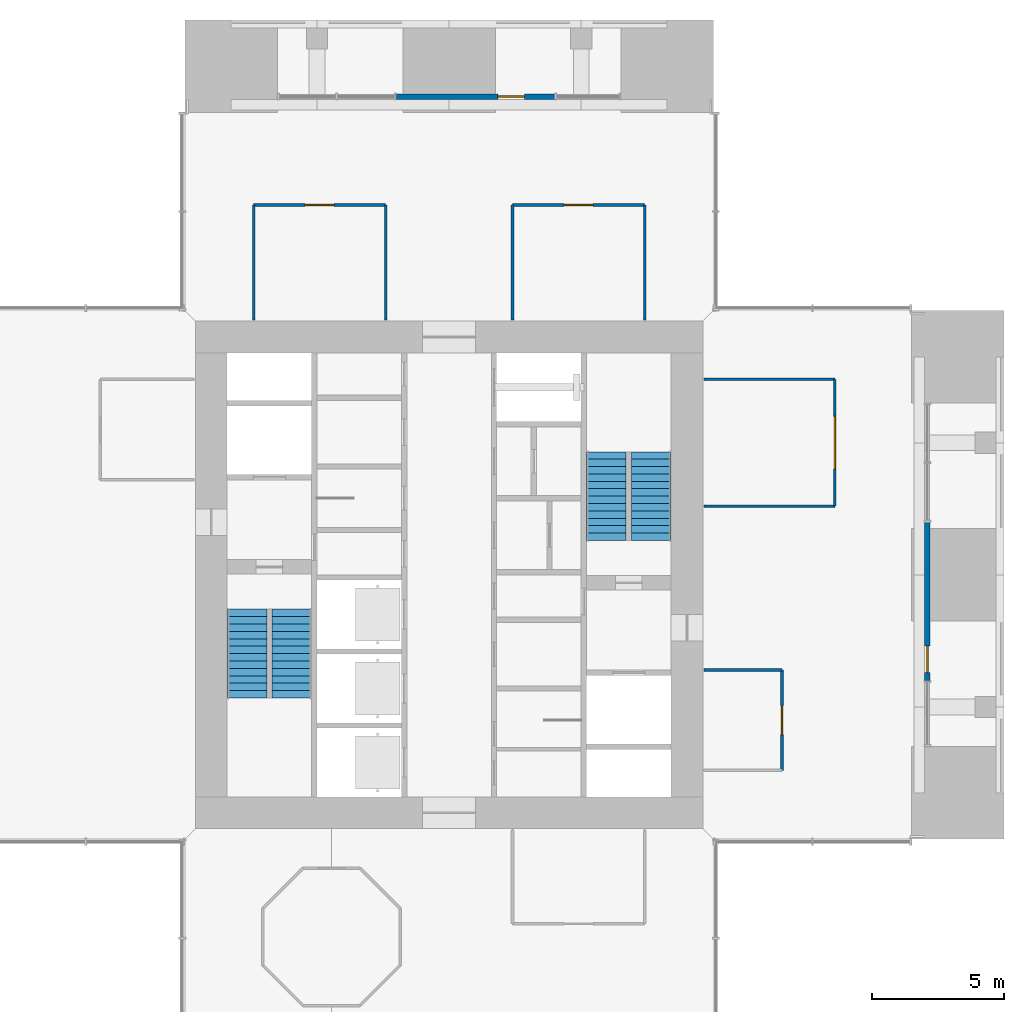
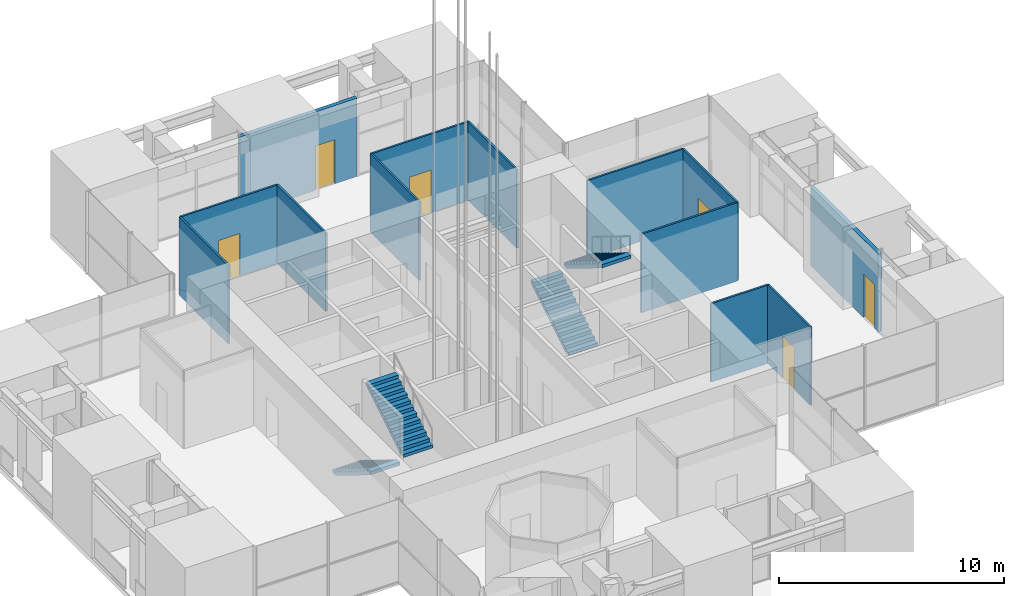
# One storey, part 7 of 17: 13 walls, 6 doors, 4 stair flights, 6 openings, 2 elements without a shape of their own.
"""IFC4 building model written with IfcOpenShell, lengths in metres."""

from ifc_helpers import new_model, si_unit, direction, frame, frame_2d, origin, place, context, subcontext, project, spatial, polyline, rectangle, outline, extrude, material, layer, layer_set, type_object, element, fill, aggregate, save


model = new_model("IFC4")

# Units and contexts
model_context = context("Model", 3, precision=1e-05, world=origin(), true_north=direction((0.0, 1.0)))
body_context = subcontext(model_context, "Body", "Model", "MODEL_VIEW")
ifc_project = project(units=[si_unit("LENGTHUNIT", "METRE"), si_unit("AREAUNIT", "SQUARE_METRE"), si_unit("VOLUMEUNIT", "CUBIC_METRE"), si_unit("PLANEANGLEUNIT", "RADIAN"), si_unit("MASSUNIT", "GRAM", prefix="KILO")], contexts=[model_context])

# Site, building, storey
site_placement = place(None, origin())
site = spatial("IfcSite", under=ifc_project, at=site_placement, CompositionType="ELEMENT")
building_placement = place(site_placement, origin())
building = spatial("IfcBuilding", under=site, at=building_placement, Name="Svetlomir Tower", CompositionType="ELEMENT")
storey_placement = place(building_placement, frame((0.0, 0.0, 239.5)))
storey = spatial("IfcBuildingStorey", under=building, at=storey_placement, Name="L57", CompositionType="ELEMENT", Elevation=239.5)

# Wall, opening, door
ifc_material_1 = material(Name="Bronze anodised aluminium glazed screen", Category="aluminium")
ifc_layer_1 = layer(ifc_material_1, 0.199951171875)
ifc_layer_set_1 = layer_set([ifc_layer_1], Name="Bronze anodised aluminium glazed screen")
wall_type_1 = type_object("IfcWallType", Name="BALCONY SCREEN WALL 200", PredefinedType="USERDEFINED", material=ifc_layer_set_1)
wall_1_placement = place(storey_placement, frame((39.10009765625, 17.0, 0.0), z_axis=(0.0, 0.0, 1.0), x_axis=(0.0, 1.0, 0.0)))
wall_1 = element("IfcWall", 1, at=wall_1_placement, inside=storey, type_object=wall_type_1, Name="Balcony screen E", ObjectType="GLAZED SCREEN", PredefinedType="USERDEFINED", context=body_context, shape_type="SweptSolid", body=[
    extrude(rectangle(XDim=6.0, YDim=0.199951171875, at=frame_2d((3.0, 0.0))), origin(), (0.0, 0.0, 1.0), 4.25),
])
opening_1_placement = place(wall_1_placement, frame((0.300048828125, 0.0, 0.0)))
opening_1 = element("IfcOpeningElement", 2, at=opening_1_placement, cuts=wall_1, Name="Opening BD", PredefinedType="OPENING", context=body_context, shape_type="SweptSolid", body=[
    extrude(rectangle(XDim=1.0, YDim=2.39990234375, at=frame_2d((0.5, 1.199951171875))), frame((0.0, 0.10986328125, 0.0), z_axis=(0.0, -1.0, 0.0), x_axis=(1.0, 0.0, 0.0)), (0.0, 0.0, 1.0), 0.219970703125),
])
ifc_material_2 = material(Name="Bronze anodised aluminium glazed door", Category="aluminium")
door_type_1 = type_object("IfcDoorType", Name="BALCONY DOOR BD 1000x2400", OperationType="SINGLE_SWING_LEFT", PredefinedType="DOOR", material=ifc_material_2)
door_1_placement = place(opening_1_placement, origin())
door_1 = element("IfcDoor", 3, at=door_1_placement, inside=storey, type_object=door_type_1, Name="Balcony screen E door", OperationType="SINGLE_SWING_LEFT", OverallHeight=2.39990234375, OverallWidth=1.0, PredefinedType="DOOR", context=body_context, shape_type="SweptSolid", body=[
    extrude(rectangle(XDim=1.0, YDim=2.39990234375, at=frame_2d((0.5, 1.199951171875))), frame((0.0, 0.02490234375, 0.0), z_axis=(0.0, -1.0, 0.0), x_axis=(1.0, 0.0, 0.0)), (0.0, 0.0, 1.0), 0.050048828125),
])
fill(opening_1, door_1)

wall_2_placement = place(storey_placement, frame((25.0, 39.10009765625, 0.0), z_axis=(0.0, 0.0, 1.0), x_axis=(-1.0, 0.0, 0.0)))
wall_2 = element("IfcWall", 4, at=wall_2_placement, inside=storey, type_object=wall_type_1, Name="Balcony screen N", ObjectType="GLAZED SCREEN", PredefinedType="USERDEFINED", context=body_context, shape_type="SweptSolid", body=[
    extrude(rectangle(XDim=6.0, YDim=0.199951171875, at=frame_2d((3.0, 0.0))), origin(), (0.0, 0.0, 1.0), 4.25),
])
opening_2_placement = place(wall_2_placement, frame((1.14990234375, 0.0, 0.0)))
opening_2 = element("IfcOpeningElement", 5, at=opening_2_placement, cuts=wall_2, Name="Opening BD", PredefinedType="OPENING", context=body_context, shape_type="SweptSolid", body=[
    extrude(rectangle(XDim=1.0, YDim=2.39990234375, at=frame_2d((0.5, 1.199951171875))), frame((0.0, 0.10986328125, 0.0), z_axis=(0.0, -1.0, 0.0), x_axis=(1.0, 0.0, 0.0)), (0.0, 0.0, 1.0), 0.219970703125),
])
door_2_placement = place(opening_2_placement, origin())
door_2 = element("IfcDoor", 6, at=door_2_placement, inside=storey, type_object=door_type_1, Name="Balcony screen N door", OperationType="SINGLE_SWING_LEFT", OverallHeight=2.39990234375, OverallWidth=1.0, PredefinedType="DOOR", context=body_context, shape_type="SweptSolid", body=[
    extrude(rectangle(XDim=1.0, YDim=2.39990234375, at=frame_2d((0.5, 1.199951171875))), frame((0.0, 0.02490234375, 0.0), z_axis=(0.0, -1.0, 0.0), x_axis=(1.0, 0.0, 0.0)), (0.0, 0.0, 1.0), 0.050048828125),
])
fill(opening_2, door_2)

# Wall
ifc_material_3 = material(Name="Framed laminated glass partition", Category="glass")
ifc_layer_2 = layer(ifc_material_3, 0.10009765625)
ifc_layer_set_2 = layer_set([ifc_layer_2], Name="Framed laminated glass partition")
wall_type_2 = type_object("IfcWallType", Name="GLAZED PARTITION 100", PredefinedType="PARTITIONING", material=ifc_layer_set_2)
wall_3_placement = place(storey_placement, frame((13.60009765625, 30.64990234375, 0.0), z_axis=(0.0, 0.0, 1.0), x_axis=(0.0, 1.0, 0.0)))
element("IfcWall", 7, at=wall_3_placement, inside=storey, type_object=wall_type_2, Name="Glazed partition L57", PredefinedType="PARTITIONING", context=body_context, shape_type="SweptSolid", body=[
    extrude(rectangle(XDim=4.35009765625, YDim=0.10009765625, at=frame_2d((2.175048828125, 0.0))), origin(), (0.0, 0.0, 1.0), 4.25),
])

# Wall, opening, door
wall_4_placement = place(storey_placement, frame((13.60009765625, 35.0, 0.0), z_axis=(0.0, 0.0, 1.0), x_axis=(1.0, 0.0, 0.0)))
wall_4 = element("IfcWall", 8, at=wall_4_placement, inside=storey, type_object=wall_type_2, Name="Glazed partition L57", PredefinedType="PARTITIONING", context=body_context, shape_type="SweptSolid", body=[
    extrude(rectangle(XDim=5.0, YDim=0.10009765625, at=frame_2d((2.5, 0.0))), origin(), (0.0, 0.0, 1.0), 4.25),
])
opening_3_placement = place(wall_4_placement, frame((1.949951171875, 0.0, 0.0)))
opening_3 = element("IfcOpeningElement", 9, at=opening_3_placement, cuts=wall_4, Name="Opening DE", PredefinedType="OPENING", context=body_context, shape_type="SweptSolid", body=[
    extrude(rectangle(XDim=1.10009765625, YDim=2.300048828125, at=frame_2d((0.550048828125, 1.14990234375))), frame((0.0, 0.06005859375, 0.0), z_axis=(0.0, -1.0, 0.0), x_axis=(1.0, 0.0, 0.0)), (0.0, 0.0, 1.0), 0.1201171875),
])
ifc_material_4 = material(Name="Walnut veneered timber door", Category="wood")
door_type_2 = type_object("IfcDoorType", Name="DOOR DE 1100x2300", OperationType="SINGLE_SWING_LEFT", PredefinedType="DOOR", material=ifc_material_4)
door_3_placement = place(opening_3_placement, origin())
door_3 = element("IfcDoor", 10, at=door_3_placement, inside=storey, type_object=door_type_2, Name="Executive meeting room, 10 seats door L57", OperationType="SINGLE_SWING_LEFT", OverallHeight=2.300048828125, OverallWidth=1.10009765625, PredefinedType="DOOR", context=body_context, shape_type="SweptSolid", body=[
    extrude(rectangle(XDim=1.10009765625, YDim=2.300048828125, at=frame_2d((0.550048828125, 1.14990234375))), frame((0.0, 0.02490234375, 0.0), z_axis=(0.0, -1.0, 0.0), x_axis=(1.0, 0.0, 0.0)), (0.0, 0.0, 1.0), 0.050048828125),
])
fill(opening_3, door_3)

# Walls
for number, where, z_axis, x_axis, name in (
    (11, (18.60009765625, 30.64990234375, 0.0), (0.0, 0.0, 1.0), (0.0, 1.0, 0.0), "Glazed partition L57"),
    (12, (23.39990234375, 30.64990234375, 0.0), (0.0, 0.0, 1.0), (0.0, 1.0, 0.0), "Glazed partition L57"),
):
    element("IfcWall", number, at=place(storey_placement, frame(where, z_axis=z_axis, x_axis=x_axis)), inside=storey, type_object=wall_type_2, Name=name, PredefinedType="PARTITIONING", context=body_context, shape_type="SweptSolid", body=[
        extrude(rectangle(XDim=4.35009765625, YDim=0.10009765625, at=frame_2d((2.175048828125, 0.0))), origin(), (0.0, 0.0, 1.0), 4.25),
    ])

# Wall, opening, door
wall_5_placement = place(storey_placement, frame((23.39990234375, 35.0, 0.0), z_axis=(0.0, 0.0, 1.0), x_axis=(1.0, 0.0, 0.0)))
wall_5 = element("IfcWall", 13, at=wall_5_placement, inside=storey, type_object=wall_type_2, Name="Glazed partition L57", PredefinedType="PARTITIONING", context=body_context, shape_type="SweptSolid", body=[
    extrude(rectangle(XDim=5.0, YDim=0.10009765625, at=frame_2d((2.5, 0.0))), origin(), (0.0, 0.0, 1.0), 4.25),
])
opening_4_placement = place(wall_5_placement, frame((1.949951171875, 0.0, 0.0)))
opening_4 = element("IfcOpeningElement", 14, at=opening_4_placement, cuts=wall_5, Name="Opening DE", PredefinedType="OPENING", context=body_context, shape_type="SweptSolid", body=[
    extrude(rectangle(XDim=1.10009765625, YDim=2.300048828125, at=frame_2d((0.550048828125, 1.14990234375))), frame((0.0, 0.06005859375, 0.0), z_axis=(0.0, -1.0, 0.0), x_axis=(1.0, 0.0, 0.0)), (0.0, 0.0, 1.0), 0.1201171875),
])
door_4_placement = place(opening_4_placement, origin())
door_4 = element("IfcDoor", 15, at=door_4_placement, inside=storey, type_object=door_type_2, Name="Executive meeting room, 6 seats door L57", OperationType="SINGLE_SWING_RIGHT", OverallHeight=2.300048828125, OverallWidth=1.10009765625, PredefinedType="DOOR", context=body_context, shape_type="SweptSolid", body=[
    extrude(rectangle(XDim=1.10009765625, YDim=2.300048828125, at=frame_2d((0.550048828125, 1.14990234375))), frame((0.0, 0.02490234375, 0.0), z_axis=(0.0, -1.0, 0.0), x_axis=(1.0, 0.0, 0.0)), (0.0, 0.0, 1.0), 0.050048828125),
])
fill(opening_4, door_4)

# Walls
wall_6_placement = place(storey_placement, frame((28.39990234375, 30.64990234375, 0.0), z_axis=(0.0, 0.0, 1.0), x_axis=(0.0, 1.0, 0.0)))
element("IfcWall", 16, at=wall_6_placement, inside=storey, type_object=wall_type_2, Name="Glazed partition L57", PredefinedType="PARTITIONING", context=body_context, shape_type="SweptSolid", body=[
    extrude(rectangle(XDim=4.35009765625, YDim=0.10009765625, at=frame_2d((2.175048828125, 0.0))), origin(), (0.0, 0.0, 1.0), 4.25),
])
wall_7_placement = place(storey_placement, frame((30.64990234375, 17.39990234375, 0.0), z_axis=(0.0, 0.0, 1.0), x_axis=(1.0, 0.0, 0.0)))
element("IfcWall", 17, at=wall_7_placement, inside=storey, type_object=wall_type_2, Name="Partition L57", PredefinedType="PARTITIONING", context=body_context, shape_type="SweptSolid", body=[
    extrude(rectangle(XDim=2.9501953125, YDim=0.10009765625, at=frame_2d((1.47509765625, 0.0))), origin(), (0.0, 0.0, 1.0), 4.25),
])
for number, where, z_axis, x_axis, name in (
    (18, (30.64990234375, 23.60009765625, 0.0), (0.0, 0.0, 1.0), (1.0, 0.0, 0.0), "Partition L57"),
    (19, (30.64990234375, 28.39990234375, 0.0), (0.0, 0.0, 1.0), (1.0, 0.0, 0.0), "Partition L57"),
):
    element("IfcWall", number, at=place(storey_placement, frame(where, z_axis=z_axis, x_axis=x_axis)), inside=storey, type_object=wall_type_2, Name=name, PredefinedType="PARTITIONING", context=body_context, shape_type="SweptSolid", body=[
        extrude(rectangle(XDim=4.9501953125, YDim=0.10009765625, at=frame_2d((2.47509765625, 0.0))), origin(), (0.0, 0.0, 1.0), 4.25),
    ])

# Wall, opening, door
wall_8_placement = place(storey_placement, frame((33.60009765625, 13.60009765625, 0.0), z_axis=(0.0, 0.0, 1.0), x_axis=(0.0, 1.0, 0.0)))
wall_8 = element("IfcWall", 20, at=wall_8_placement, inside=storey, type_object=wall_type_2, Name="Partition L57", PredefinedType="PARTITIONING", context=body_context, shape_type="SweptSolid", body=[
    extrude(rectangle(XDim=3.7998046875, YDim=0.10009765625, at=frame_2d((1.89990234375, 0.0))), origin(), (0.0, 0.0, 1.0), 4.25),
])
opening_5_placement = place(wall_8_placement, frame((1.35009765625, 0.0, 0.0)))
opening_5 = element("IfcOpeningElement", 21, at=opening_5_placement, cuts=wall_8, Name="Opening DE", PredefinedType="OPENING", context=body_context, shape_type="SweptSolid", body=[
    extrude(rectangle(XDim=1.10009765625, YDim=2.300048828125, at=frame_2d((0.550048828125, 1.14990234375))), frame((0.0, 0.06005859375, 0.0), z_axis=(0.0, -1.0, 0.0), x_axis=(1.0, 0.0, 0.0)), (0.0, 0.0, 1.0), 0.1201171875),
])
door_5_placement = place(opening_5_placement, origin())
door_5 = element("IfcDoor", 22, at=door_5_placement, inside=storey, type_object=door_type_2, Name="Executive cloakroom door L57", OperationType="SINGLE_SWING_LEFT", OverallHeight=2.300048828125, OverallWidth=1.10009765625, PredefinedType="DOOR", context=body_context, shape_type="SweptSolid", body=[
    extrude(rectangle(XDim=1.10009765625, YDim=2.300048828125, at=frame_2d((0.550048828125, 1.14990234375))), frame((0.0, 0.02490234375, 0.0), z_axis=(0.0, -1.0, 0.0), x_axis=(1.0, 0.0, 0.0)), (0.0, 0.0, 1.0), 0.050048828125),
])
fill(opening_5, door_5)

wall_9_placement = place(storey_placement, frame((35.60009765625, 23.60009765625, 0.0), z_axis=(0.0, 0.0, 1.0), x_axis=(0.0, 1.0, 0.0)))
wall_9 = element("IfcWall", 23, at=wall_9_placement, inside=storey, type_object=wall_type_2, Name="Partition L57", PredefinedType="PARTITIONING", context=body_context, shape_type="SweptSolid", body=[
    extrude(rectangle(XDim=4.7998046875, YDim=0.10009765625, at=frame_2d((2.39990234375, 0.0))), origin(), (0.0, 0.0, 1.0), 4.25),
])
opening_6_placement = place(wall_9_placement, frame((1.39990234375, 0.0, 0.0)))
opening_6 = element("IfcOpeningElement", 24, at=opening_6_placement, cuts=wall_9, Name="Opening DX", PredefinedType="OPENING", context=body_context, shape_type="SweptSolid", body=[
    extrude(rectangle(XDim=2.0, YDim=2.39990234375, at=frame_2d((1.0, 1.199951171875))), frame((0.0, 0.06005859375, 0.0), z_axis=(0.0, -1.0, 0.0), x_axis=(1.0, 0.0, 0.0)), (0.0, 0.0, 1.0), 0.1201171875),
])
ifc_material_5 = material(Name="Walnut veneered timber door", Category="wood")
door_type_3 = type_object("IfcDoorType", Name="DOUBLE DOOR DX 2000x2400", OperationType="DOUBLE_DOOR_SINGLE_SWING", PredefinedType="DOOR", material=ifc_material_5)
door_6_placement = place(opening_6_placement, origin())
door_6 = element("IfcDoor", 25, at=door_6_placement, inside=storey, type_object=door_type_3, Name="Executive private dining room door L57", OperationType="DOUBLE_DOOR_SINGLE_SWING", OverallHeight=2.39990234375, OverallWidth=2.0, PredefinedType="DOOR", context=body_context, shape_type="SweptSolid", body=[
    extrude(rectangle(XDim=2.0, YDim=2.39990234375, at=frame_2d((1.0, 1.199951171875))), frame((0.0, 0.02490234375, 0.0), z_axis=(0.0, -1.0, 0.0), x_axis=(1.0, 0.0, 0.0)), (0.0, 0.0, 1.0), 0.050048828125),
])
fill(opening_6, door_6)

# Stair, stair flights
ifc_material_6 = material(Name="Concrete C60/75", Category="concrete")
stair_type = type_object("IfcStairType", Name="EXIT STAIR 3200 RISE 4500", PredefinedType="HALF_TURN_STAIR", material=ifc_material_6)
stair_1_placement = place(storey_placement, origin())
stair_1 = element("IfcStair", 26, at=stair_1_placement, inside=storey, type_object=stair_type, Name="Stair S1 L57 to L58", PredefinedType="HALF_TURN_STAIR")
ifc_material_7 = material(Name="Concrete C60/75", Category="concrete")
stair_flight_type = type_object("IfcStairFlightType", Name="STAIR FLIGHT 1500 OF 13 RISERS", PredefinedType="STRAIGHT", material=ifc_material_7)
stair_flight_1_placement = place(storey_placement, frame((13.35009765625, 19.699951171875, 0.0), z_axis=(0.0, 0.0, 1.0), x_axis=(0.0, -1.0, 0.0)))
stair_flight_1 = element("IfcStairFlight", 27, at=stair_flight_1_placement, type_object=stair_flight_type, Name="S1 flight 1", NumberOfRisers=13, NumberOfTreads=12, PredefinedType="STRAIGHT", RiserHeight=0.173076923, TreadLength=0.28, context=body_context, shape_type="SweptSolid", body=[
    extrude(outline(polyline([(0.0, 0.0), (0.0, 0.173095703125), (0.280029296875, 0.173095703125), (0.280029296875, 0.34619140625), (0.56005859375, 0.34619140625), (0.56005859375, 0.519287109375), (0.840087890625, 0.519287109375), (0.840087890625, 0.6923828125), (1.1201171875, 0.6923828125), (1.1201171875, 0.865478515625), (1.39990234375, 0.865478515625), (1.39990234375, 1.03857421875), (1.679931640625, 1.03857421875), (1.679931640625, 1.21142578125), (1.9599609375, 1.21142578125), (1.9599609375, 1.384521484375), (2.239990234375, 1.384521484375), (2.239990234375, 1.5576171875), (2.52001953125, 1.5576171875), (2.52001953125, 1.730712890625), (2.800048828125, 1.730712890625), (2.800048828125, 1.90380859375), (3.080078125, 1.90380859375), (3.080078125, 2.076904296875), (3.360107421875, 2.076904296875), (3.360107421875, 2.25), (3.360107421875, 1.900634765625), (0.28515625, 0.0), (0.0, 0.0)])), frame((0.0, 0.75, 0.0), z_axis=(0.0, -1.0, 0.0), x_axis=(1.0, 0.0, 0.0)), (0.0, 0.0, 1.0), 1.5),
])
stair_flight_2_placement = place(storey_placement, frame((15.050048828125, 16.340087890625, 2.25), z_axis=(0.0, 0.0, 1.0), x_axis=(0.0, 1.0, 0.0)))
stair_flight_2 = element("IfcStairFlight", 28, at=stair_flight_2_placement, type_object=stair_flight_type, Name="S1 flight 2", NumberOfRisers=13, NumberOfTreads=12, PredefinedType="STRAIGHT", RiserHeight=0.173076923, TreadLength=0.28, context=body_context, shape_type="SweptSolid", body=[
    extrude(outline(polyline([(0.0, 0.0), (0.0, 0.173095703125), (0.280029296875, 0.173095703125), (0.280029296875, 0.34619140625), (0.56005859375, 0.34619140625), (0.56005859375, 0.519287109375), (0.840087890625, 0.519287109375), (0.840087890625, 0.6923828125), (1.1201171875, 0.6923828125), (1.1201171875, 0.865478515625), (1.39990234375, 0.865478515625), (1.39990234375, 1.03857421875), (1.679931640625, 1.03857421875), (1.679931640625, 1.21142578125), (1.9599609375, 1.21142578125), (1.9599609375, 1.384521484375), (2.239990234375, 1.384521484375), (2.239990234375, 1.5576171875), (2.52001953125, 1.5576171875), (2.52001953125, 1.730712890625), (2.800048828125, 1.730712890625), (2.800048828125, 1.90380859375), (3.080078125, 1.90380859375), (3.080078125, 2.076904296875), (3.360107421875, 2.076904296875), (3.360107421875, 2.25), (3.360107421875, 1.900634765625), (0.28515625, 0.0), (0.0, 0.0)])), frame((0.0, 0.75, 0.0), z_axis=(0.0, -1.0, 0.0), x_axis=(1.0, 0.0, 0.0)), (0.0, 0.0, 1.0), 1.5),
])
aggregate(stair_1, [stair_flight_1, stair_flight_2])

stair_2_placement = place(storey_placement, origin())
stair_2 = element("IfcStair", 29, at=stair_2_placement, inside=storey, type_object=stair_type, Name="Stair S2 L57 to L58", PredefinedType="HALF_TURN_STAIR")
stair_flight_3_placement = place(storey_placement, frame((26.949951171875, 22.300048828125, 0.0), z_axis=(0.0, 0.0, 1.0), x_axis=(0.0, 1.0, 0.0)))
stair_flight_3 = element("IfcStairFlight", 30, at=stair_flight_3_placement, type_object=stair_flight_type, Name="S2 flight 1", NumberOfRisers=13, NumberOfTreads=12, PredefinedType="STRAIGHT", RiserHeight=0.173076923, TreadLength=0.28, context=body_context, shape_type="SweptSolid", body=[
    extrude(outline(polyline([(0.0, 0.0), (0.0, 0.173095703125), (0.280029296875, 0.173095703125), (0.280029296875, 0.34619140625), (0.56005859375, 0.34619140625), (0.56005859375, 0.519287109375), (0.840087890625, 0.519287109375), (0.840087890625, 0.6923828125), (1.1201171875, 0.6923828125), (1.1201171875, 0.865478515625), (1.39990234375, 0.865478515625), (1.39990234375, 1.03857421875), (1.679931640625, 1.03857421875), (1.679931640625, 1.21142578125), (1.9599609375, 1.21142578125), (1.9599609375, 1.384521484375), (2.239990234375, 1.384521484375), (2.239990234375, 1.5576171875), (2.52001953125, 1.5576171875), (2.52001953125, 1.730712890625), (2.800048828125, 1.730712890625), (2.800048828125, 1.90380859375), (3.080078125, 1.90380859375), (3.080078125, 2.076904296875), (3.360107421875, 2.076904296875), (3.360107421875, 2.25), (3.360107421875, 1.900634765625), (0.28515625, 0.0), (0.0, 0.0)])), frame((0.0, 0.75, 0.0), z_axis=(0.0, -1.0, 0.0), x_axis=(1.0, 0.0, 0.0)), (0.0, 0.0, 1.0), 1.5),
])
stair_flight_4_placement = place(storey_placement, frame((28.64990234375, 25.659912109375, 2.25), z_axis=(0.0, 0.0, 1.0), x_axis=(0.0, -1.0, 0.0)))
stair_flight_4 = element("IfcStairFlight", 31, at=stair_flight_4_placement, type_object=stair_flight_type, Name="S2 flight 2", NumberOfRisers=13, NumberOfTreads=12, PredefinedType="STRAIGHT", RiserHeight=0.173076923, TreadLength=0.28, context=body_context, shape_type="SweptSolid", body=[
    extrude(outline(polyline([(0.0, 0.0), (0.0, 0.173095703125), (0.280029296875, 0.173095703125), (0.280029296875, 0.34619140625), (0.56005859375, 0.34619140625), (0.56005859375, 0.519287109375), (0.840087890625, 0.519287109375), (0.840087890625, 0.6923828125), (1.1201171875, 0.6923828125), (1.1201171875, 0.865478515625), (1.39990234375, 0.865478515625), (1.39990234375, 1.03857421875), (1.679931640625, 1.03857421875), (1.679931640625, 1.21142578125), (1.9599609375, 1.21142578125), (1.9599609375, 1.384521484375), (2.239990234375, 1.384521484375), (2.239990234375, 1.5576171875), (2.52001953125, 1.5576171875), (2.52001953125, 1.730712890625), (2.800048828125, 1.730712890625), (2.800048828125, 1.90380859375), (3.080078125, 1.90380859375), (3.080078125, 2.076904296875), (3.360107421875, 2.076904296875), (3.360107421875, 2.25), (3.360107421875, 1.900634765625), (0.28515625, 0.0), (0.0, 0.0)])), frame((0.0, 0.75, 0.0), z_axis=(0.0, -1.0, 0.0), x_axis=(1.0, 0.0, 0.0)), (0.0, 0.0, 1.0), 1.5),
])
aggregate(stair_2, [stair_flight_3, stair_flight_4])

save(model, "model.ifc")
